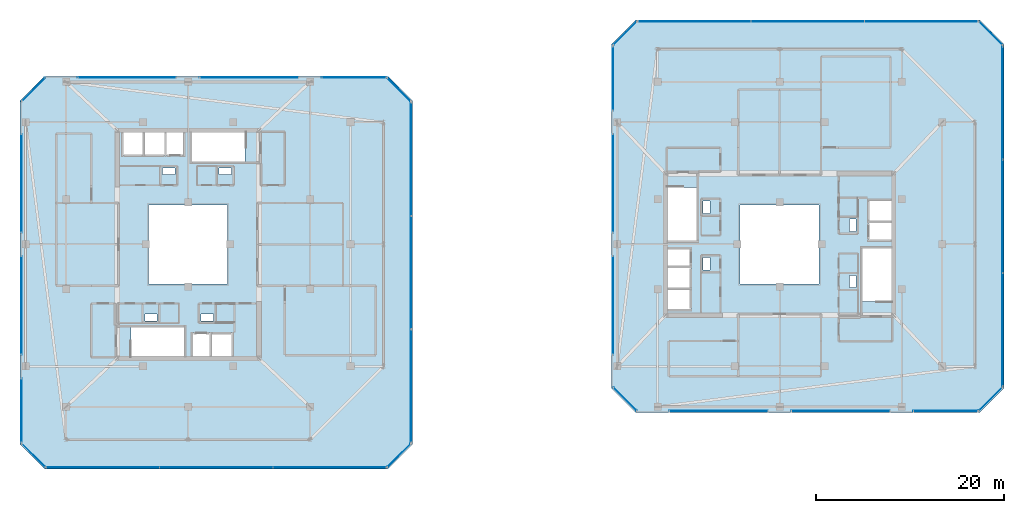
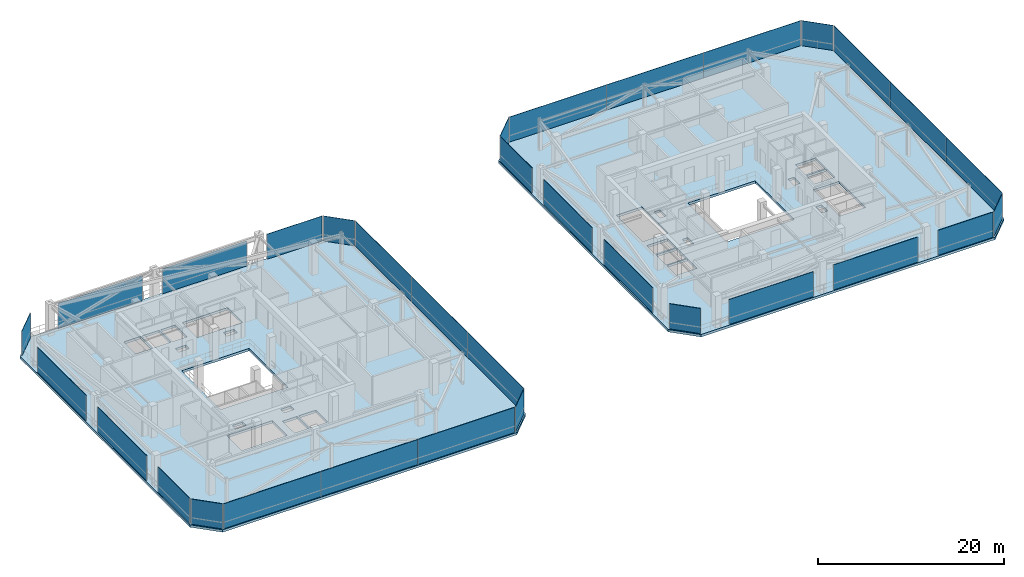
# One storey, part 35 of 47: 32 plates, 2 slabs, 24 elements without a shape of their own.
"""IFC4 building model written with IfcOpenShell, lengths in metres."""

from ifc_helpers import new_model, si_unit, direction, frame, origin, origin_2d, place, context, subcontext, project, spatial, polyline, rectangle, outline, extrude, material, layer, layer_set, type_object, element, aggregate, save


model = new_model("IFC4")

# Units and contexts
model_context = context("Model", 3, precision=1e-05, world=origin(), true_north=direction((0.0, 1.0)))
body_context = subcontext(model_context, "Body", "Model", "MODEL_VIEW")
ifc_project = project(units=[si_unit("LENGTHUNIT", "METRE"), si_unit("AREAUNIT", "SQUARE_METRE"), si_unit("VOLUMEUNIT", "CUBIC_METRE"), si_unit("PLANEANGLEUNIT", "RADIAN"), si_unit("MASSUNIT", "GRAM", prefix="KILO")], contexts=[model_context])

# Site, building, storey
site_placement = place(None, origin())
site = spatial("IfcSite", under=ifc_project, at=site_placement, CompositionType="ELEMENT")
building_placement = place(site_placement, origin())
building = spatial("IfcBuilding", under=site, at=building_placement, Name="Thornwick Lancets Civic Towers", CompositionType="ELEMENT")
storey_placement = place(building_placement, frame((0.0, 0.0, 279.89990234375)))
storey = spatial("IfcBuildingStorey", under=building, at=storey_placement, Name="C01", CompositionType="ELEMENT", Elevation=279.89990234375)

# Curtain wall, plates
ifc_material_1 = material(Name="Crown ring acoustic-louvre and glazing screen wall", Category="glass")
curtain_wall_type = type_object("IfcCurtainWallType", Name="CW_SYS_07", PredefinedType="NOTDEFINED", material=ifc_material_1)
curtain_wall_1_placement = place(storey_placement, origin())
curtain_wall_1 = element("IfcCurtainWall", 1, at=curtain_wall_1_placement, inside=storey, type_object=curtain_wall_type, Name="C01 Curtain Wall CW-C01-A-E0", PredefinedType="NOTDEFINED")
ifc_material_2 = material(Name="Terracotta acoustic louvre screen", Category="masonry")
ifc_layer_1 = layer(ifc_material_2, 0.050048828125, Name="Terracotta acoustic louvre screen")
ifc_layer_set_1 = layer_set([ifc_layer_1], Name="Terracotta acoustic louvre screen")
plate_type = type_object("IfcPlateType", Name="CW_PNL_LOUVRE", PredefinedType="SHEET", material=ifc_layer_set_1)
plate_1_placement = place(storey_placement, frame((16.432373046875, 3.2353515625, 0.0), z_axis=(0.0, 0.0, 1.0), x_axis=(1.0, 0.0, 0.0)))
plate_1 = element("IfcPlate", 2, at=plate_1_placement, type_object=plate_type, Name="CW-C01-A-E0 Panel 0", PredefinedType="SHEET", context=body_context, shape_type="SweptSolid", body=[
    extrude(rectangle(XDim=12.063720703125, YDim=0.050048828125, at=origin_2d()), origin(), (0.0, 0.0, 1.0), 3.300048828125),
])
plate_2_placement = place(storey_placement, frame((28.5, 3.2353515625, 0.0), z_axis=(0.0, 0.0, 1.0), x_axis=(1.0, 0.0, 0.0)))
plate_2 = element("IfcPlate", 3, at=plate_2_placement, type_object=plate_type, Name="CW-C01-A-E0 Panel 1", PredefinedType="SHEET", context=body_context, shape_type="SweptSolid", body=[
    extrude(rectangle(XDim=12.063720703125, YDim=0.050048828125, at=origin_2d()), origin(), (0.0, 0.0, 1.0), 3.300048828125),
])
plate_3_placement = place(storey_placement, frame((40.567626953125, 3.2353515625, 0.0), z_axis=(0.0, 0.0, 1.0), x_axis=(1.0, 0.0, 0.0)))
plate_3 = element("IfcPlate", 4, at=plate_3_placement, type_object=plate_type, Name="CW-C01-A-E0 Panel 2", PredefinedType="SHEET", context=body_context, shape_type="SweptSolid", body=[
    extrude(rectangle(XDim=12.063720703125, YDim=0.050048828125, at=origin_2d()), origin(), (0.0, 0.0, 1.0), 3.300048828125),
])
aggregate(curtain_wall_1, [plate_1, plate_2, plate_3])

# Curtain wall, plate
curtain_wall_2_placement = place(storey_placement, origin())
curtain_wall_2 = element("IfcCurtainWall", 5, at=curtain_wall_2_placement, inside=storey, type_object=curtain_wall_type, Name="C01 Curtain Wall CW-C01-A-E1", PredefinedType="NOTDEFINED")
plate_4_placement = place(storey_placement, frame((47.972900390625, 4.527099609375, 0.0), z_axis=(0.0, 0.0, 1.0), x_axis=(0.707106781187, 0.707106781187, 0.0)))
plate_4 = element("IfcPlate", 6, at=plate_4_placement, type_object=plate_type, Name="CW-C01-A-E1 Panel 0", PredefinedType="SHEET", context=body_context, shape_type="SweptSolid", body=[
    extrude(rectangle(XDim=3.4892578125, YDim=0.050048828125, at=origin_2d()), origin(), (0.0, 0.0, 1.0), 3.300048828125),
])
aggregate(curtain_wall_2, [plate_4])

# Curtain wall, plates
curtain_wall_3_placement = place(storey_placement, origin())
curtain_wall_3 = element("IfcCurtainWall", 7, at=curtain_wall_3_placement, inside=storey, type_object=curtain_wall_type, Name="C01 Curtain Wall CW-C01-A-E2", PredefinedType="NOTDEFINED")
plate_5_placement = place(storey_placement, frame((49.2646484375, 11.932373046875, 0.0), z_axis=(0.0, 0.0, 1.0), x_axis=(0.0, 1.0, 0.0)))
plate_5 = element("IfcPlate", 8, at=plate_5_placement, type_object=plate_type, Name="CW-C01-A-E2 Panel 0", PredefinedType="SHEET", context=body_context, shape_type="SweptSolid", body=[
    extrude(rectangle(XDim=12.063720703125, YDim=0.050048828125, at=origin_2d()), origin(), (0.0, 0.0, 1.0), 3.300048828125),
])
plate_6_placement = place(storey_placement, frame((49.2646484375, 24.0, 0.0), z_axis=(0.0, 0.0, 1.0), x_axis=(0.0, 1.0, 0.0)))
plate_6 = element("IfcPlate", 9, at=plate_6_placement, type_object=plate_type, Name="CW-C01-A-E2 Panel 1", PredefinedType="SHEET", context=body_context, shape_type="SweptSolid", body=[
    extrude(rectangle(XDim=12.063720703125, YDim=0.050048828125, at=origin_2d()), origin(), (0.0, 0.0, 1.0), 3.300048828125),
])
plate_7_placement = place(storey_placement, frame((49.2646484375, 36.067626953125, 0.0), z_axis=(0.0, 0.0, 1.0), x_axis=(0.0, 1.0, 0.0)))
plate_7 = element("IfcPlate", 10, at=plate_7_placement, type_object=plate_type, Name="CW-C01-A-E2 Panel 2", PredefinedType="SHEET", context=body_context, shape_type="SweptSolid", body=[
    extrude(rectangle(XDim=12.063720703125, YDim=0.050048828125, at=origin_2d()), origin(), (0.0, 0.0, 1.0), 3.300048828125),
])
aggregate(curtain_wall_3, [plate_5, plate_6, plate_7])

# Curtain wall, plate
curtain_wall_4_placement = place(storey_placement, origin())
curtain_wall_4 = element("IfcCurtainWall", 11, at=curtain_wall_4_placement, inside=storey, type_object=curtain_wall_type, Name="C01 Curtain Wall CW-C01-A-E3", PredefinedType="NOTDEFINED")
plate_8_placement = place(storey_placement, frame((47.972900390625, 43.472900390625, 0.0), z_axis=(0.0, 0.0, 1.0), x_axis=(-0.707106781187, 0.707106781187, 0.0)))
plate_8 = element("IfcPlate", 12, at=plate_8_placement, type_object=plate_type, Name="CW-C01-A-E3 Panel 0", PredefinedType="SHEET", context=body_context, shape_type="SweptSolid", body=[
    extrude(rectangle(XDim=3.4892578125, YDim=0.050048828125, at=origin_2d()), origin(), (0.0, 0.0, 1.0), 3.300048828125),
])
aggregate(curtain_wall_4, [plate_8])

curtain_wall_5_placement = place(storey_placement, origin())
curtain_wall_5 = element("IfcCurtainWall", 13, at=curtain_wall_5_placement, inside=storey, type_object=curtain_wall_type, Name="C01 Curtain Wall CW-C01-A-E4-S1", PredefinedType="NOTDEFINED")
plate_9_placement = place(storey_placement, frame((43.17578125, 44.7646484375, 0.0), z_axis=(0.0, 0.0, 1.0), x_axis=(-1.0, 0.0, 0.0)))
plate_9 = element("IfcPlate", 14, at=plate_9_placement, type_object=plate_type, Name="CW-C01-A-E4-S1 Panel 0", PredefinedType="SHEET", context=body_context, shape_type="SweptSolid", body=[
    extrude(rectangle(XDim=6.847412109375, YDim=0.050048828125, at=origin_2d()), origin(), (0.0, 0.0, 1.0), 3.300048828125),
])
aggregate(curtain_wall_5, [plate_9])

curtain_wall_6_placement = place(storey_placement, origin())
curtain_wall_6 = element("IfcCurtainWall", 15, at=curtain_wall_6_placement, inside=storey, type_object=curtain_wall_type, Name="C01 Curtain Wall CW-C01-A-E4-S2", PredefinedType="NOTDEFINED")
plate_10_placement = place(storey_placement, frame((32.0, 44.7646484375, 0.0), z_axis=(0.0, 0.0, 1.0), x_axis=(-1.0, 0.0, 0.0)))
plate_10 = element("IfcPlate", 16, at=plate_10_placement, type_object=plate_type, Name="CW-C01-A-E4-S2 Panel 0", PredefinedType="SHEET", context=body_context, shape_type="SweptSolid", body=[
    extrude(rectangle(XDim=10.49609375, YDim=0.050048828125, at=origin_2d()), origin(), (0.0, 0.0, 1.0), 3.300048828125),
])
aggregate(curtain_wall_6, [plate_10])

curtain_wall_7_placement = place(storey_placement, origin())
curtain_wall_7 = element("IfcCurtainWall", 17, at=curtain_wall_7_placement, inside=storey, type_object=curtain_wall_type, Name="C01 Curtain Wall CW-C01-A-E4-S3", PredefinedType="NOTDEFINED")
plate_11_placement = place(storey_placement, frame((19.0, 44.7646484375, 0.0), z_axis=(0.0, 0.0, 1.0), x_axis=(-1.0, 0.0, 0.0)))
plate_11 = element("IfcPlate", 18, at=plate_11_placement, type_object=plate_type, Name="CW-C01-A-E4-S3 Panel 0", PredefinedType="SHEET", context=body_context, shape_type="SweptSolid", body=[
    extrude(rectangle(XDim=10.49609375, YDim=0.050048828125, at=origin_2d()), origin(), (0.0, 0.0, 1.0), 3.300048828125),
])
aggregate(curtain_wall_7, [plate_11])

curtain_wall_8_placement = place(storey_placement, origin())
curtain_wall_8 = element("IfcCurtainWall", 19, at=curtain_wall_8_placement, inside=storey, type_object=curtain_wall_type, Name="C01 Curtain Wall CW-C01-A-E5", PredefinedType="NOTDEFINED")
plate_12_placement = place(storey_placement, frame((9.027099609375, 43.472900390625, 0.0), z_axis=(0.0, 0.0, 1.0), x_axis=(-0.707106781187, -0.707106781187, 0.0)))
plate_12 = element("IfcPlate", 20, at=plate_12_placement, type_object=plate_type, Name="CW-C01-A-E5 Panel 0", PredefinedType="SHEET", context=body_context, shape_type="SweptSolid", body=[
    extrude(rectangle(XDim=3.4892578125, YDim=0.050048828125, at=origin_2d()), origin(), (0.0, 0.0, 1.0), 3.300048828125),
])
aggregate(curtain_wall_8, [plate_12])

curtain_wall_9_placement = place(storey_placement, origin())
curtain_wall_9 = element("IfcCurtainWall", 21, at=curtain_wall_9_placement, inside=storey, type_object=curtain_wall_type, Name="C01 Curtain Wall CW-C01-A-E6-S1", PredefinedType="NOTDEFINED")
plate_13_placement = place(storey_placement, frame((7.7353515625, 33.5, 0.0), z_axis=(0.0, 0.0, 1.0), x_axis=(0.0, -1.0, 0.0)))
plate_13 = element("IfcPlate", 22, at=plate_13_placement, type_object=plate_type, Name="CW-C01-A-E6-S1 Panel 0", PredefinedType="SHEET", context=body_context, shape_type="SweptSolid", body=[
    extrude(rectangle(XDim=10.49609375, YDim=0.050048828125, at=origin_2d()), origin(), (0.0, 0.0, 1.0), 3.300048828125),
])
aggregate(curtain_wall_9, [plate_13])

curtain_wall_10_placement = place(storey_placement, origin())
curtain_wall_10 = element("IfcCurtainWall", 23, at=curtain_wall_10_placement, inside=storey, type_object=curtain_wall_type, Name="C01 Curtain Wall CW-C01-A-E6-S2", PredefinedType="NOTDEFINED")
plate_14_placement = place(storey_placement, frame((7.7353515625, 20.5, 0.0), z_axis=(0.0, 0.0, 1.0), x_axis=(0.0, -1.0, 0.0)))
plate_14 = element("IfcPlate", 24, at=plate_14_placement, type_object=plate_type, Name="CW-C01-A-E6-S2 Panel 0", PredefinedType="SHEET", context=body_context, shape_type="SweptSolid", body=[
    extrude(rectangle(XDim=10.49609375, YDim=0.050048828125, at=origin_2d()), origin(), (0.0, 0.0, 1.0), 3.300048828125),
])
aggregate(curtain_wall_10, [plate_14])

curtain_wall_11_placement = place(storey_placement, origin())
curtain_wall_11 = element("IfcCurtainWall", 25, at=curtain_wall_11_placement, inside=storey, type_object=curtain_wall_type, Name="C01 Curtain Wall CW-C01-A-E6-S3", PredefinedType="NOTDEFINED")
plate_15_placement = place(storey_placement, frame((7.7353515625, 9.32421875, 0.0), z_axis=(0.0, 0.0, 1.0), x_axis=(0.0, -1.0, 0.0)))
plate_15 = element("IfcPlate", 26, at=plate_15_placement, type_object=plate_type, Name="CW-C01-A-E6-S3 Panel 0", PredefinedType="SHEET", context=body_context, shape_type="SweptSolid", body=[
    extrude(rectangle(XDim=6.847412109375, YDim=0.050048828125, at=origin_2d()), origin(), (0.0, 0.0, 1.0), 3.300048828125),
])
aggregate(curtain_wall_11, [plate_15])

curtain_wall_12_placement = place(storey_placement, origin())
curtain_wall_12 = element("IfcCurtainWall", 27, at=curtain_wall_12_placement, inside=storey, type_object=curtain_wall_type, Name="C01 Curtain Wall CW-C01-A-E7", PredefinedType="NOTDEFINED")
plate_16_placement = place(storey_placement, frame((9.027099609375, 4.527099609375, 0.0), z_axis=(0.0, 0.0, 1.0), x_axis=(0.707106781187, -0.707106781187, 0.0)))
plate_16 = element("IfcPlate", 28, at=plate_16_placement, type_object=plate_type, Name="CW-C01-A-E7 Panel 0", PredefinedType="SHEET", context=body_context, shape_type="SweptSolid", body=[
    extrude(rectangle(XDim=3.4892578125, YDim=0.050048828125, at=origin_2d()), origin(), (0.0, 0.0, 1.0), 3.300048828125),
])
aggregate(curtain_wall_12, [plate_16])

curtain_wall_13_placement = place(storey_placement, origin())
curtain_wall_13 = element("IfcCurtainWall", 29, at=curtain_wall_13_placement, inside=storey, type_object=curtain_wall_type, Name="C01 Curtain Wall CW-C01-B-E0-S1", PredefinedType="NOTDEFINED")
plate_17_placement = place(storey_placement, frame((82.0, 9.2353515625, 0.0), z_axis=(0.0, 0.0, 1.0), x_axis=(1.0, 0.0, 0.0)))
plate_17 = element("IfcPlate", 30, at=plate_17_placement, type_object=plate_type, Name="CW-C01-B-E0-S1 Panel 0", PredefinedType="SHEET", context=body_context, shape_type="SweptSolid", body=[
    extrude(rectangle(XDim=10.49609375, YDim=0.050048828125, at=origin_2d()), origin(), (0.0, 0.0, 1.0), 3.300048828125),
])
aggregate(curtain_wall_13, [plate_17])

curtain_wall_14_placement = place(storey_placement, origin())
curtain_wall_14 = element("IfcCurtainWall", 31, at=curtain_wall_14_placement, inside=storey, type_object=curtain_wall_type, Name="C01 Curtain Wall CW-C01-B-E0-S2", PredefinedType="NOTDEFINED")
plate_18_placement = place(storey_placement, frame((95.0, 9.2353515625, 0.0), z_axis=(0.0, 0.0, 1.0), x_axis=(1.0, 0.0, 0.0)))
plate_18 = element("IfcPlate", 32, at=plate_18_placement, type_object=plate_type, Name="CW-C01-B-E0-S2 Panel 0", PredefinedType="SHEET", context=body_context, shape_type="SweptSolid", body=[
    extrude(rectangle(XDim=10.49609375, YDim=0.050048828125, at=origin_2d()), origin(), (0.0, 0.0, 1.0), 3.300048828125),
])
aggregate(curtain_wall_14, [plate_18])

curtain_wall_15_placement = place(storey_placement, origin())
curtain_wall_15 = element("IfcCurtainWall", 33, at=curtain_wall_15_placement, inside=storey, type_object=curtain_wall_type, Name="C01 Curtain Wall CW-C01-B-E0-S3", PredefinedType="NOTDEFINED")
plate_19_placement = place(storey_placement, frame((106.17578125, 9.2353515625, 0.0), z_axis=(0.0, 0.0, 1.0), x_axis=(1.0, 0.0, 0.0)))
plate_19 = element("IfcPlate", 34, at=plate_19_placement, type_object=plate_type, Name="CW-C01-B-E0-S3 Panel 0", PredefinedType="SHEET", context=body_context, shape_type="SweptSolid", body=[
    extrude(rectangle(XDim=6.847412109375, YDim=0.050048828125, at=origin_2d()), origin(), (0.0, 0.0, 1.0), 3.300048828125),
])
aggregate(curtain_wall_15, [plate_19])

curtain_wall_16_placement = place(storey_placement, origin())
curtain_wall_16 = element("IfcCurtainWall", 35, at=curtain_wall_16_placement, inside=storey, type_object=curtain_wall_type, Name="C01 Curtain Wall CW-C01-B-E1", PredefinedType="NOTDEFINED")
plate_20_placement = place(storey_placement, frame((110.972900390625, 10.527099609375, 0.0), z_axis=(0.0, 0.0, 1.0), x_axis=(0.707106781187, 0.707106781187, 0.0)))
plate_20 = element("IfcPlate", 36, at=plate_20_placement, type_object=plate_type, Name="CW-C01-B-E1 Panel 0", PredefinedType="SHEET", context=body_context, shape_type="SweptSolid", body=[
    extrude(rectangle(XDim=3.4892578125, YDim=0.050048828125, at=origin_2d()), origin(), (0.0, 0.0, 1.0), 3.300048828125),
])
aggregate(curtain_wall_16, [plate_20])

# Curtain wall, plates
curtain_wall_17_placement = place(storey_placement, origin())
curtain_wall_17 = element("IfcCurtainWall", 37, at=curtain_wall_17_placement, inside=storey, type_object=curtain_wall_type, Name="C01 Curtain Wall CW-C01-B-E2", PredefinedType="NOTDEFINED")
plate_21_placement = place(storey_placement, frame((112.2646484375, 17.932373046875, 0.0), z_axis=(0.0, 0.0, 1.0), x_axis=(0.0, 1.0, 0.0)))
plate_21 = element("IfcPlate", 38, at=plate_21_placement, type_object=plate_type, Name="CW-C01-B-E2 Panel 0", PredefinedType="SHEET", context=body_context, shape_type="SweptSolid", body=[
    extrude(rectangle(XDim=12.063720703125, YDim=0.050048828125, at=origin_2d()), origin(), (0.0, 0.0, 1.0), 3.300048828125),
])
plate_22_placement = place(storey_placement, frame((112.2646484375, 30.0, 0.0), z_axis=(0.0, 0.0, 1.0), x_axis=(0.0, 1.0, 0.0)))
plate_22 = element("IfcPlate", 39, at=plate_22_placement, type_object=plate_type, Name="CW-C01-B-E2 Panel 1", PredefinedType="SHEET", context=body_context, shape_type="SweptSolid", body=[
    extrude(rectangle(XDim=12.063720703125, YDim=0.050048828125, at=origin_2d()), origin(), (0.0, 0.0, 1.0), 3.300048828125),
])
plate_23_placement = place(storey_placement, frame((112.2646484375, 42.067626953125, 0.0), z_axis=(0.0, 0.0, 1.0), x_axis=(0.0, 1.0, 0.0)))
plate_23 = element("IfcPlate", 40, at=plate_23_placement, type_object=plate_type, Name="CW-C01-B-E2 Panel 2", PredefinedType="SHEET", context=body_context, shape_type="SweptSolid", body=[
    extrude(rectangle(XDim=12.063720703125, YDim=0.050048828125, at=origin_2d()), origin(), (0.0, 0.0, 1.0), 3.300048828125),
])
aggregate(curtain_wall_17, [plate_21, plate_22, plate_23])

# Curtain wall, plate
curtain_wall_18_placement = place(storey_placement, origin())
curtain_wall_18 = element("IfcCurtainWall", 41, at=curtain_wall_18_placement, inside=storey, type_object=curtain_wall_type, Name="C01 Curtain Wall CW-C01-B-E3", PredefinedType="NOTDEFINED")
plate_24_placement = place(storey_placement, frame((110.972900390625, 49.472900390625, 0.0), z_axis=(0.0, 0.0, 1.0), x_axis=(-0.707106781187, 0.707106781187, 0.0)))
plate_24 = element("IfcPlate", 42, at=plate_24_placement, type_object=plate_type, Name="CW-C01-B-E3 Panel 0", PredefinedType="SHEET", context=body_context, shape_type="SweptSolid", body=[
    extrude(rectangle(XDim=3.4892578125, YDim=0.050048828125, at=origin_2d()), origin(), (0.0, 0.0, 1.0), 3.300048828125),
])
aggregate(curtain_wall_18, [plate_24])

# Curtain wall, plates
curtain_wall_19_placement = place(storey_placement, origin())
curtain_wall_19 = element("IfcCurtainWall", 43, at=curtain_wall_19_placement, inside=storey, type_object=curtain_wall_type, Name="C01 Curtain Wall CW-C01-B-E4", PredefinedType="NOTDEFINED")
plate_25_placement = place(storey_placement, frame((103.567626953125, 50.7646484375, 0.0), z_axis=(0.0, 0.0, 1.0), x_axis=(-1.0, 0.0, 0.0)))
plate_25 = element("IfcPlate", 44, at=plate_25_placement, type_object=plate_type, Name="CW-C01-B-E4 Panel 0", PredefinedType="SHEET", context=body_context, shape_type="SweptSolid", body=[
    extrude(rectangle(XDim=12.063720703125, YDim=0.050048828125, at=origin_2d()), origin(), (0.0, 0.0, 1.0), 3.300048828125),
])
plate_26_placement = place(storey_placement, frame((91.5, 50.7646484375, 0.0), z_axis=(0.0, 0.0, 1.0), x_axis=(-1.0, 0.0, 0.0)))
plate_26 = element("IfcPlate", 45, at=plate_26_placement, type_object=plate_type, Name="CW-C01-B-E4 Panel 1", PredefinedType="SHEET", context=body_context, shape_type="SweptSolid", body=[
    extrude(rectangle(XDim=12.063720703125, YDim=0.050048828125, at=origin_2d()), origin(), (0.0, 0.0, 1.0), 3.300048828125),
])
plate_27_placement = place(storey_placement, frame((79.432373046875, 50.7646484375, 0.0), z_axis=(0.0, 0.0, 1.0), x_axis=(-1.0, 0.0, 0.0)))
plate_27 = element("IfcPlate", 46, at=plate_27_placement, type_object=plate_type, Name="CW-C01-B-E4 Panel 2", PredefinedType="SHEET", context=body_context, shape_type="SweptSolid", body=[
    extrude(rectangle(XDim=12.063720703125, YDim=0.050048828125, at=origin_2d()), origin(), (0.0, 0.0, 1.0), 3.300048828125),
])
aggregate(curtain_wall_19, [plate_25, plate_26, plate_27])

# Curtain wall, plate
curtain_wall_20_placement = place(storey_placement, origin())
curtain_wall_20 = element("IfcCurtainWall", 47, at=curtain_wall_20_placement, inside=storey, type_object=curtain_wall_type, Name="C01 Curtain Wall CW-C01-B-E5", PredefinedType="NOTDEFINED")
plate_28_placement = place(storey_placement, frame((72.027099609375, 49.472900390625, 0.0), z_axis=(0.0, 0.0, 1.0), x_axis=(-0.707106781187, -0.707106781187, 0.0)))
plate_28 = element("IfcPlate", 48, at=plate_28_placement, type_object=plate_type, Name="CW-C01-B-E5 Panel 0", PredefinedType="SHEET", context=body_context, shape_type="SweptSolid", body=[
    extrude(rectangle(XDim=3.4892578125, YDim=0.050048828125, at=origin_2d()), origin(), (0.0, 0.0, 1.0), 3.300048828125),
])
aggregate(curtain_wall_20, [plate_28])

curtain_wall_21_placement = place(storey_placement, origin())
curtain_wall_21 = element("IfcCurtainWall", 49, at=curtain_wall_21_placement, inside=storey, type_object=curtain_wall_type, Name="C01 Curtain Wall CW-C01-B-E6-S1", PredefinedType="NOTDEFINED")
plate_29_placement = place(storey_placement, frame((70.7353515625, 44.67578125, 0.0), z_axis=(0.0, 0.0, 1.0), x_axis=(0.0, -1.0, 0.0)))
plate_29 = element("IfcPlate", 50, at=plate_29_placement, type_object=plate_type, Name="CW-C01-B-E6-S1 Panel 0", PredefinedType="SHEET", context=body_context, shape_type="SweptSolid", body=[
    extrude(rectangle(XDim=6.847412109375, YDim=0.050048828125, at=origin_2d()), origin(), (0.0, 0.0, 1.0), 3.300048828125),
])
aggregate(curtain_wall_21, [plate_29])

curtain_wall_22_placement = place(storey_placement, origin())
curtain_wall_22 = element("IfcCurtainWall", 51, at=curtain_wall_22_placement, inside=storey, type_object=curtain_wall_type, Name="C01 Curtain Wall CW-C01-B-E6-S2", PredefinedType="NOTDEFINED")
plate_30_placement = place(storey_placement, frame((70.7353515625, 33.5, 0.0), z_axis=(0.0, 0.0, 1.0), x_axis=(0.0, -1.0, 0.0)))
plate_30 = element("IfcPlate", 52, at=plate_30_placement, type_object=plate_type, Name="CW-C01-B-E6-S2 Panel 0", PredefinedType="SHEET", context=body_context, shape_type="SweptSolid", body=[
    extrude(rectangle(XDim=10.49609375, YDim=0.050048828125, at=origin_2d()), origin(), (0.0, 0.0, 1.0), 3.300048828125),
])
aggregate(curtain_wall_22, [plate_30])

curtain_wall_23_placement = place(storey_placement, origin())
curtain_wall_23 = element("IfcCurtainWall", 53, at=curtain_wall_23_placement, inside=storey, type_object=curtain_wall_type, Name="C01 Curtain Wall CW-C01-B-E6-S3", PredefinedType="NOTDEFINED")
plate_31_placement = place(storey_placement, frame((70.7353515625, 20.5, 0.0), z_axis=(0.0, 0.0, 1.0), x_axis=(0.0, -1.0, 0.0)))
plate_31 = element("IfcPlate", 54, at=plate_31_placement, type_object=plate_type, Name="CW-C01-B-E6-S3 Panel 0", PredefinedType="SHEET", context=body_context, shape_type="SweptSolid", body=[
    extrude(rectangle(XDim=10.49609375, YDim=0.050048828125, at=origin_2d()), origin(), (0.0, 0.0, 1.0), 3.300048828125),
])
aggregate(curtain_wall_23, [plate_31])

curtain_wall_24_placement = place(storey_placement, origin())
curtain_wall_24 = element("IfcCurtainWall", 55, at=curtain_wall_24_placement, inside=storey, type_object=curtain_wall_type, Name="C01 Curtain Wall CW-C01-B-E7", PredefinedType="NOTDEFINED")
plate_32_placement = place(storey_placement, frame((72.027099609375, 10.527099609375, 0.0), z_axis=(0.0, 0.0, 1.0), x_axis=(0.707106781187, -0.707106781187, 0.0)))
plate_32 = element("IfcPlate", 56, at=plate_32_placement, type_object=plate_type, Name="CW-C01-B-E7 Panel 0", PredefinedType="SHEET", context=body_context, shape_type="SweptSolid", body=[
    extrude(rectangle(XDim=3.4892578125, YDim=0.050048828125, at=origin_2d()), origin(), (0.0, 0.0, 1.0), 3.300048828125),
])
aggregate(curtain_wall_24, [plate_32])

# Slabs
ifc_material_3 = material(Name="Post-tensioned concrete C40/50", Category="concrete")
ifc_layer_2 = layer(ifc_material_3, 0.320068359375, Name="Post-tensioned concrete C40/50")
ifc_layer_set_2 = layer_set([ifc_layer_2], Name="Post-tensioned concrete C40/50")
slab_type = type_object("IfcSlabType", Name="SLAB_PT_320", PredefinedType="FLOOR", material=ifc_layer_set_2)
slab_1_placement = place(storey_placement, frame((0.0, 0.0, -0.31982421875)))
element("IfcSlab", 57, at=slab_1_placement, inside=storey, type_object=slab_type, Name="C01 Tower A Floor Slab", PredefinedType="FLOOR", context=body_context, shape_type="SweptSolid", body=[
    extrude(outline(polyline([(10.199951171875, 3.10009765625), (46.800048828125, 3.10009765625), (49.39990234375, 5.699951171875), (49.39990234375, 42.300048828125), (46.800048828125, 44.89990234375), (10.199951171875, 44.89990234375), (7.60009765625, 42.300048828125), (7.60009765625, 5.699951171875), (10.199951171875, 3.10009765625)]), holes=[polyline([(21.300048828125, 22.800048828125), (29.699951171875, 22.800048828125), (29.699951171875, 31.199951171875), (21.300048828125, 31.199951171875), (21.300048828125, 22.800048828125)]), polyline([(19.429931640625, 15.0), (25.10009765625, 15.0), (25.10009765625, 18.199951171875), (19.429931640625, 18.199951171875), (19.429931640625, 15.0)]), polyline([(31.570068359375, 39.0), (25.89990234375, 39.0), (25.89990234375, 35.800048828125), (31.570068359375, 35.800048828125), (31.570068359375, 39.0)]), polyline([(26.0, 15.0), (27.800048828125, 15.0), (27.800048828125, 17.550048828125), (26.0, 17.550048828125), (26.0, 15.0)]), polyline([(28.0, 15.0), (30.14990234375, 15.0), (30.14990234375, 17.550048828125), (28.0, 17.550048828125), (28.0, 15.0)]), polyline([(23.199951171875, 36.449951171875), (25.0, 36.449951171875), (25.0, 39.0), (23.199951171875, 39.0), (23.199951171875, 36.449951171875)]), polyline([(20.85009765625, 36.449951171875), (23.0, 36.449951171875), (23.0, 39.0), (20.85009765625, 39.0), (20.85009765625, 36.449951171875)]), polyline([(18.60009765625, 36.449951171875), (20.699951171875, 36.449951171875), (20.699951171875, 39.0), (18.60009765625, 39.0), (18.60009765625, 36.449951171875)]), polyline([(26.89990234375, 18.85009765625), (28.199951171875, 18.85009765625), (28.199951171875, 19.580078125), (26.89990234375, 19.580078125), (26.89990234375, 18.85009765625)]), polyline([(20.89990234375, 18.85009765625), (22.199951171875, 18.85009765625), (22.199951171875, 19.580078125), (20.89990234375, 19.580078125), (20.89990234375, 18.85009765625)]), polyline([(22.800048828125, 34.419921875), (24.10009765625, 34.419921875), (24.10009765625, 35.14990234375), (22.800048828125, 35.14990234375), (22.800048828125, 34.419921875)]), polyline([(28.800048828125, 34.419921875), (30.10009765625, 34.419921875), (30.10009765625, 35.14990234375), (28.800048828125, 35.14990234375), (28.800048828125, 34.419921875)])]), origin(), (0.0, 0.0, 1.0), 0.31982421875),
])
slab_2_placement = place(storey_placement, frame((0.0, 0.0, -0.31982421875)))
element("IfcSlab", 58, at=slab_2_placement, inside=storey, type_object=slab_type, Name="C01 Tower B Floor Slab", PredefinedType="FLOOR", context=body_context, shape_type="SweptSolid", body=[
    extrude(outline(polyline([(73.199951171875, 9.10009765625), (109.800048828125, 9.10009765625), (112.39990234375, 11.699951171875), (112.39990234375, 48.300048828125), (109.800048828125, 50.89990234375), (73.199951171875, 50.89990234375), (70.60009765625, 48.300048828125), (70.60009765625, 11.699951171875), (73.199951171875, 9.10009765625)]), holes=[polyline([(84.300048828125, 22.800048828125), (92.699951171875, 22.800048828125), (92.699951171875, 31.199951171875), (84.300048828125, 31.199951171875), (84.300048828125, 22.800048828125)]), polyline([(100.5, 20.929931640625), (100.5, 26.60009765625), (97.300048828125, 26.60009765625), (97.300048828125, 20.929931640625), (100.5, 20.929931640625)]), polyline([(76.5, 33.070068359375), (76.5, 27.39990234375), (79.699951171875, 27.39990234375), (79.699951171875, 33.070068359375), (76.5, 33.070068359375)]), polyline([(97.949951171875, 27.5), (100.5, 27.5), (100.5, 29.300048828125), (97.949951171875, 29.300048828125), (97.949951171875, 27.5)]), polyline([(97.949951171875, 29.5), (100.5, 29.5), (100.5, 31.64990234375), (97.949951171875, 31.64990234375), (97.949951171875, 29.5)]), polyline([(76.5, 24.699951171875), (79.050048828125, 24.699951171875), (79.050048828125, 26.5), (76.5, 26.5), (76.5, 24.699951171875)]), polyline([(76.5, 22.35009765625), (79.050048828125, 22.35009765625), (79.050048828125, 24.5), (76.5, 24.5), (76.5, 22.35009765625)]), polyline([(76.5, 20.10009765625), (79.050048828125, 20.10009765625), (79.050048828125, 22.199951171875), (76.5, 22.199951171875), (76.5, 20.10009765625)]), polyline([(95.919921875, 28.39990234375), (96.64990234375, 28.39990234375), (96.64990234375, 29.699951171875), (95.919921875, 29.699951171875), (95.919921875, 28.39990234375)]), polyline([(95.919921875, 22.39990234375), (96.64990234375, 22.39990234375), (96.64990234375, 23.699951171875), (95.919921875, 23.699951171875), (95.919921875, 22.39990234375)]), polyline([(80.35009765625, 24.300048828125), (81.080078125, 24.300048828125), (81.080078125, 25.60009765625), (80.35009765625, 25.60009765625), (80.35009765625, 24.300048828125)]), polyline([(80.35009765625, 30.300048828125), (81.080078125, 30.300048828125), (81.080078125, 31.60009765625), (80.35009765625, 31.60009765625), (80.35009765625, 30.300048828125)])]), origin(), (0.0, 0.0, 1.0), 0.31982421875),
])

save(model, "model.ifc")
